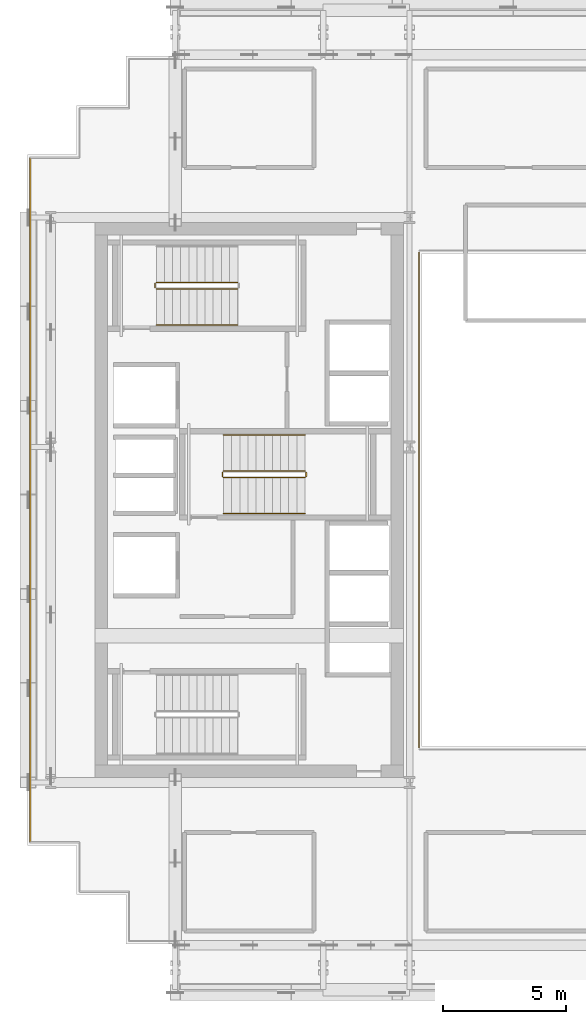
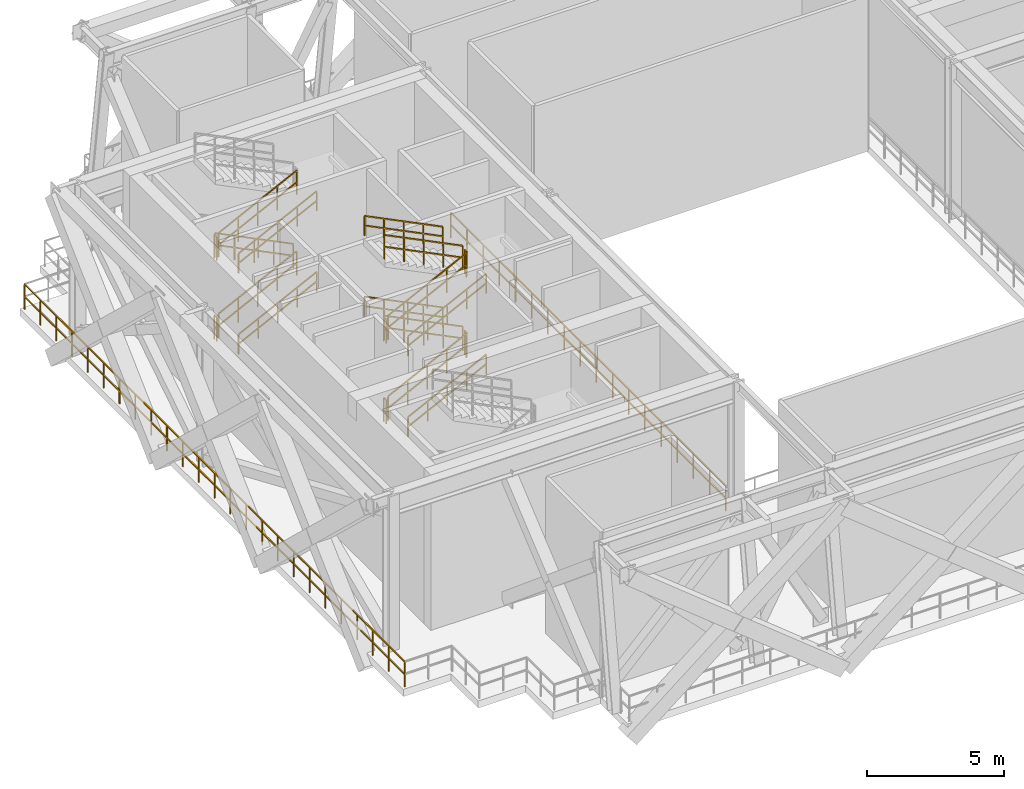
# One storey, part 10 of 13: 21 railings.
"""IFC4 building model written with IfcOpenShell, lengths in metres."""

from ifc_helpers import new_model, si_unit, direction, frame, origin, origin_2d, place, context, subcontext, project, spatial, rectangle, extrude, material, type_object, element, save


model = new_model("IFC4")

# Units and contexts
model_context = context("Model", 3, precision=1e-05, world=origin(), true_north=direction((0.0, 1.0)))
body_context = subcontext(model_context, "Body", "Model", "MODEL_VIEW")
ifc_project = project(units=[si_unit("LENGTHUNIT", "METRE"), si_unit("AREAUNIT", "SQUARE_METRE"), si_unit("VOLUMEUNIT", "CUBIC_METRE"), si_unit("PLANEANGLEUNIT", "RADIAN"), si_unit("MASSUNIT", "GRAM", prefix="KILO")], contexts=[model_context])

# Site, building, storey
site_placement = place(None, origin())
site = spatial("IfcSite", under=ifc_project, at=site_placement, CompositionType="ELEMENT")
building_placement = place(site_placement, origin())
building = spatial("IfcBuilding", under=site, at=building_placement, Name="Ocotamira Hotel", CompositionType="ELEMENT")
storey_placement = place(building_placement, frame((0.0, 0.0, 220.800048828125)))
storey = spatial("IfcBuildingStorey", under=building, at=storey_placement, Name="L56", CompositionType="ELEMENT", Elevation=220.800048828125)

# Railings
ifc_material_1 = material(Name="Painted steel stair guardrail", Category="steel")
railing_type_1 = type_object("IfcRailingType", Name="RL-EDGE-1150", PredefinedType="GUARDRAIL", material=ifc_material_1)
railing_1_placement = place(storey_placement, frame((23.8798828125, 36.0400390625, 0.0)))
element("IfcRailing", 1, at=railing_1_placement, inside=storey, type_object=railing_type_1, Name="L56 Central Atrium Edge Guardrail W", PredefinedType="GUARDRAIL", context=body_context, shape_type="SweptSolid", body=[
    extrude(rectangle(XDim=0.048095703125, YDim=0.048095703125, at=origin_2d()), frame((0.0, 0.0, 1.1259765625), z_axis=(0.0, -1.0, 0.0), x_axis=(1.0, 0.0, 0.0)), (0.0, 0.0, 1.0), 20.080078125),
    extrude(rectangle(XDim=0.048095703125, YDim=0.048095703125, at=origin_2d()), frame((0.0, 0.0, 0.574951171875), z_axis=(0.0, -1.0, 0.0), x_axis=(1.0, 0.0, 0.0)), (0.0, 0.0, 1.0), 20.080078125),
    extrude(rectangle(XDim=0.0419921875, YDim=0.0419921875, at=origin_2d()), origin(), (0.0, 0.0, 1.0), 1.101806640625),
    extrude(rectangle(XDim=0.0419921875, YDim=0.0419921875, at=origin_2d()), frame((0.0, -1.18115234375, 0.0)), (0.0, 0.0, 1.0), 1.101806640625),
    extrude(rectangle(XDim=0.0419921875, YDim=0.0419921875, at=origin_2d()), frame((0.0, -2.3623046875, 0.0)), (0.0, 0.0, 1.0), 1.101806640625),
    extrude(rectangle(XDim=0.0419921875, YDim=0.0419921875, at=origin_2d()), frame((0.0, -3.54345703125, 0.0)), (0.0, 0.0, 1.0), 1.101806640625),
    extrude(rectangle(XDim=0.0419921875, YDim=0.0419921875, at=origin_2d()), frame((0.0, -4.724609375, 0.0)), (0.0, 0.0, 1.0), 1.101806640625),
    extrude(rectangle(XDim=0.0419921875, YDim=0.0419921875, at=origin_2d()), frame((0.0, -5.906005859375, 0.0)), (0.0, 0.0, 1.0), 1.101806640625),
    extrude(rectangle(XDim=0.0419921875, YDim=0.0419921875, at=origin_2d()), frame((0.0, -7.087158203125, 0.0)), (0.0, 0.0, 1.0), 1.101806640625),
    extrude(rectangle(XDim=0.0419921875, YDim=0.0419921875, at=origin_2d()), frame((0.0, -8.268310546875, 0.0)), (0.0, 0.0, 1.0), 1.101806640625),
    extrude(rectangle(XDim=0.0419921875, YDim=0.0419921875, at=origin_2d()), frame((0.0, -9.449462890625, 0.0)), (0.0, 0.0, 1.0), 1.101806640625),
    extrude(rectangle(XDim=0.0419921875, YDim=0.0419921875, at=origin_2d()), frame((0.0, -10.630615234375, 0.0)), (0.0, 0.0, 1.0), 1.101806640625),
    extrude(rectangle(XDim=0.0419921875, YDim=0.0419921875, at=origin_2d()), frame((0.0, -11.811767578125, 0.0)), (0.0, 0.0, 1.0), 1.101806640625),
    extrude(rectangle(XDim=0.0419921875, YDim=0.0419921875, at=origin_2d()), frame((0.0, -12.992919921875, 0.0)), (0.0, 0.0, 1.0), 1.101806640625),
    extrude(rectangle(XDim=0.0419921875, YDim=0.0419921875, at=origin_2d()), frame((0.0, -14.174072265625, 0.0)), (0.0, 0.0, 1.0), 1.101806640625),
    extrude(rectangle(XDim=0.0419921875, YDim=0.0419921875, at=origin_2d()), frame((0.0, -15.35546875, 0.0)), (0.0, 0.0, 1.0), 1.101806640625),
    extrude(rectangle(XDim=0.0419921875, YDim=0.0419921875, at=origin_2d()), frame((0.0, -16.53662109375, 0.0)), (0.0, 0.0, 1.0), 1.101806640625),
    extrude(rectangle(XDim=0.0419921875, YDim=0.0419921875, at=origin_2d()), frame((0.0, -17.7177734375, 0.0)), (0.0, 0.0, 1.0), 1.101806640625),
    extrude(rectangle(XDim=0.0419921875, YDim=0.0419921875, at=origin_2d()), frame((0.0, -18.89892578125, 0.0)), (0.0, 0.0, 1.0), 1.101806640625),
    extrude(rectangle(XDim=0.0419921875, YDim=0.0419921875, at=origin_2d()), frame((0.0, -20.080078125, 0.0)), (0.0, 0.0, 1.0), 1.101806640625),
])
ifc_material_2 = material(Name="Brushed stainless steel handrail", Category="steel")
railing_type_2 = type_object("IfcRailingType", Name="RL-HAND-900", PredefinedType="HANDRAIL", material=ifc_material_2)
railing_2_placement = place(storey_placement, frame((13.22998046875, 33.10009765625, 0.3271484375)))
element("IfcRailing", 2, at=railing_2_placement, inside=storey, type_object=railing_type_2, Name="L56 ST-2 stair handrail 1", PredefinedType="HANDRAIL", context=body_context, shape_type="SweptSolid", body=[
    extrude(rectangle(XDim=0.048095703125, YDim=0.048095703125, at=origin_2d()), frame((0.0, 0.0, 0.8759765625), z_axis=(0.895893744519, 0.0, 0.4442683857), x_axis=(0.0, 1.0, 0.0)), (0.0, 0.0, 1.0), 3.68359375),
    extrude(rectangle(XDim=0.048095703125, YDim=0.048095703125, at=origin_2d()), frame((0.0, 0.0, 0.449951171875), z_axis=(0.895893744519, 0.0, 0.4442683857), x_axis=(0.0, 1.0, 0.0)), (0.0, 0.0, 1.0), 3.68359375),
    extrude(rectangle(XDim=0.0419921875, YDim=0.0419921875, at=origin_2d()), origin(), (0.0, 0.0, 1.0), 0.851806640625),
    extrude(rectangle(XDim=0.0419921875, YDim=0.0419921875, at=origin_2d()), frame((0.824951171875, 0.0, 0.4091796875)), (0.0, 0.0, 1.0), 0.851806640625),
    extrude(rectangle(XDim=0.0419921875, YDim=0.0419921875, at=origin_2d()), frame((1.64990234375, 0.0, 0.818359375)), (0.0, 0.0, 1.0), 0.851806640625),
    extrude(rectangle(XDim=0.0419921875, YDim=0.0419921875, at=origin_2d()), frame((2.47509765625, 0.0, 1.227294921875)), (0.0, 0.0, 1.0), 0.851806640625),
    extrude(rectangle(XDim=0.0419921875, YDim=0.0419921875, at=origin_2d()), frame((3.300048828125, 0.0, 1.636474609375)), (0.0, 0.0, 1.0), 0.851806640625),
])
railing_3_placement = place(storey_placement, frame((13.22998046875, 33.10009765625, 3.92724609375)))
element("IfcRailing", 3, at=railing_3_placement, inside=storey, type_object=railing_type_2, Name="L56 ST-2 stair handrail 3", PredefinedType="HANDRAIL", context=body_context, shape_type="SweptSolid", body=[
    extrude(rectangle(XDim=0.048095703125, YDim=0.048095703125, at=origin_2d()), frame((0.0, 0.0, 0.8759765625), z_axis=(0.895920123917, 0.0, 0.444215186098), x_axis=(0.0, 1.0, 0.0)), (0.0, 0.0, 1.0), 3.683349609375),
    extrude(rectangle(XDim=0.048095703125, YDim=0.048095703125, at=origin_2d()), frame((0.0, 0.0, 0.449951171875), z_axis=(0.895920123917, 0.0, 0.444215186098), x_axis=(0.0, 1.0, 0.0)), (0.0, 0.0, 1.0), 3.683349609375),
    extrude(rectangle(XDim=0.0419921875, YDim=0.0419921875, at=origin_2d()), origin(), (0.0, 0.0, 1.0), 0.851806640625),
    extrude(rectangle(XDim=0.0419921875, YDim=0.0419921875, at=origin_2d()), frame((0.824951171875, 0.0, 0.4091796875)), (0.0, 0.0, 1.0), 0.851806640625),
    extrude(rectangle(XDim=0.0419921875, YDim=0.0419921875, at=origin_2d()), frame((1.64990234375, 0.0, 0.818115234375)), (0.0, 0.0, 1.0), 0.851806640625),
    extrude(rectangle(XDim=0.0419921875, YDim=0.0419921875, at=origin_2d()), frame((2.47509765625, 0.0, 1.22705078125)), (0.0, 0.0, 1.0), 0.851806640625),
    extrude(rectangle(XDim=0.0419921875, YDim=0.0419921875, at=origin_2d()), frame((3.300048828125, 0.0, 1.63623046875)), (0.0, 0.0, 1.0), 0.851806640625),
])
railing_4_placement = place(storey_placement, frame((15.9599609375, 25.449951171875, 0.3271484375)))
element("IfcRailing", 4, at=railing_4_placement, inside=storey, type_object=railing_type_2, Name="L56 ST-3 stair handrail 1", PredefinedType="HANDRAIL", context=body_context, shape_type="SweptSolid", body=[
    extrude(rectangle(XDim=0.048095703125, YDim=0.048095703125, at=origin_2d()), frame((0.0, 0.0, 0.8759765625), z_axis=(0.895893744519, 0.0, 0.4442683857), x_axis=(0.0, 1.0, 0.0)), (0.0, 0.0, 1.0), 3.68359375),
    extrude(rectangle(XDim=0.048095703125, YDim=0.048095703125, at=origin_2d()), frame((0.0, 0.0, 0.449951171875), z_axis=(0.895893744519, 0.0, 0.4442683857), x_axis=(0.0, 1.0, 0.0)), (0.0, 0.0, 1.0), 3.68359375),
    extrude(rectangle(XDim=0.0419921875, YDim=0.0419921875, at=origin_2d()), origin(), (0.0, 0.0, 1.0), 0.851806640625),
    extrude(rectangle(XDim=0.0419921875, YDim=0.0419921875, at=origin_2d()), frame((0.824951171875, 0.0, 0.4091796875)), (0.0, 0.0, 1.0), 0.851806640625),
    extrude(rectangle(XDim=0.0419921875, YDim=0.0419921875, at=origin_2d()), frame((1.64990234375, 0.0, 0.818359375)), (0.0, 0.0, 1.0), 0.851806640625),
    extrude(rectangle(XDim=0.0419921875, YDim=0.0419921875, at=origin_2d()), frame((2.47509765625, 0.0, 1.227294921875)), (0.0, 0.0, 1.0), 0.851806640625),
    extrude(rectangle(XDim=0.0419921875, YDim=0.0419921875, at=origin_2d()), frame((3.300048828125, 0.0, 1.636474609375)), (0.0, 0.0, 1.0), 0.851806640625),
])
railing_5_placement = place(storey_placement, frame((19.260009765625, 28.6298828125, 2.127197265625)))
element("IfcRailing", 5, at=railing_5_placement, inside=storey, type_object=railing_type_2, Name="L56 ST-3 stair handrail 2", PredefinedType="HANDRAIL", context=body_context, shape_type="SweptSolid", body=[
    extrude(rectangle(XDim=0.048095703125, YDim=0.048095703125, at=origin_2d()), frame((0.0, 0.0, 0.8759765625), z_axis=(-0.895893744519, 0.0, 0.4442683857), x_axis=(0.0, -1.0, 0.0)), (0.0, 0.0, 1.0), 3.68359375),
    extrude(rectangle(XDim=0.048095703125, YDim=0.048095703125, at=origin_2d()), frame((0.0, 0.0, 0.449951171875), z_axis=(-0.895893744519, 0.0, 0.4442683857), x_axis=(0.0, -1.0, 0.0)), (0.0, 0.0, 1.0), 3.68359375),
    extrude(rectangle(XDim=0.0419921875, YDim=0.0419921875, at=origin_2d()), origin(), (0.0, 0.0, 1.0), 0.851806640625),
    extrude(rectangle(XDim=0.0419921875, YDim=0.0419921875, at=origin_2d()), frame((-0.824951171875, 0.0, 0.4091796875)), (0.0, 0.0, 1.0), 0.851806640625),
    extrude(rectangle(XDim=0.0419921875, YDim=0.0419921875, at=origin_2d()), frame((-1.64990234375, 0.0, 0.818359375)), (0.0, 0.0, 1.0), 0.851806640625),
    extrude(rectangle(XDim=0.0419921875, YDim=0.0419921875, at=origin_2d()), frame((-2.47509765625, 0.0, 1.227294921875)), (0.0, 0.0, 1.0), 0.851806640625),
    extrude(rectangle(XDim=0.0419921875, YDim=0.0419921875, at=origin_2d()), frame((-3.300048828125, 0.0, 1.636474609375)), (0.0, 0.0, 1.0), 0.851806640625),
])
railing_6_placement = place(storey_placement, frame((15.9599609375, 25.449951171875, 3.92724609375)))
element("IfcRailing", 6, at=railing_6_placement, inside=storey, type_object=railing_type_2, Name="L56 ST-3 stair handrail 3", PredefinedType="HANDRAIL", context=body_context, shape_type="SweptSolid", body=[
    extrude(rectangle(XDim=0.048095703125, YDim=0.048095703125, at=origin_2d()), frame((0.0, 0.0, 0.8759765625), z_axis=(0.895920123917, 0.0, 0.444215186098), x_axis=(0.0, 1.0, 0.0)), (0.0, 0.0, 1.0), 3.683349609375),
    extrude(rectangle(XDim=0.048095703125, YDim=0.048095703125, at=origin_2d()), frame((0.0, 0.0, 0.449951171875), z_axis=(0.895920123917, 0.0, 0.444215186098), x_axis=(0.0, 1.0, 0.0)), (0.0, 0.0, 1.0), 3.683349609375),
    extrude(rectangle(XDim=0.0419921875, YDim=0.0419921875, at=origin_2d()), origin(), (0.0, 0.0, 1.0), 0.851806640625),
    extrude(rectangle(XDim=0.0419921875, YDim=0.0419921875, at=origin_2d()), frame((0.824951171875, 0.0, 0.4091796875)), (0.0, 0.0, 1.0), 0.851806640625),
    extrude(rectangle(XDim=0.0419921875, YDim=0.0419921875, at=origin_2d()), frame((1.64990234375, 0.0, 0.818115234375)), (0.0, 0.0, 1.0), 0.851806640625),
    extrude(rectangle(XDim=0.0419921875, YDim=0.0419921875, at=origin_2d()), frame((2.47509765625, 0.0, 1.22705078125)), (0.0, 0.0, 1.0), 0.851806640625),
    extrude(rectangle(XDim=0.0419921875, YDim=0.0419921875, at=origin_2d()), frame((3.300048828125, 0.0, 1.63623046875)), (0.0, 0.0, 1.0), 0.851806640625),
])
railing_7_placement = place(storey_placement, frame((19.260009765625, 28.6298828125, 5.727294921875)))
element("IfcRailing", 7, at=railing_7_placement, inside=storey, type_object=railing_type_2, Name="L56 ST-3 stair handrail 4", PredefinedType="HANDRAIL", context=body_context, shape_type="SweptSolid", body=[
    extrude(rectangle(XDim=0.048095703125, YDim=0.048095703125, at=origin_2d()), frame((0.0, 0.0, 0.8759765625), z_axis=(-0.895920123917, 0.0, 0.444215186098), x_axis=(0.0, -1.0, 0.0)), (0.0, 0.0, 1.0), 3.683349609375),
    extrude(rectangle(XDim=0.048095703125, YDim=0.048095703125, at=origin_2d()), frame((0.0, 0.0, 0.449951171875), z_axis=(-0.895920123917, 0.0, 0.444215186098), x_axis=(0.0, -1.0, 0.0)), (0.0, 0.0, 1.0), 3.683349609375),
    extrude(rectangle(XDim=0.0419921875, YDim=0.0419921875, at=origin_2d()), origin(), (0.0, 0.0, 1.0), 0.851806640625),
    extrude(rectangle(XDim=0.0419921875, YDim=0.0419921875, at=origin_2d()), frame((-0.824951171875, 0.0, 0.4091796875)), (0.0, 0.0, 1.0), 0.851806640625),
    extrude(rectangle(XDim=0.0419921875, YDim=0.0419921875, at=origin_2d()), frame((-1.64990234375, 0.0, 0.818115234375)), (0.0, 0.0, 1.0), 0.851806640625),
    extrude(rectangle(XDim=0.0419921875, YDim=0.0419921875, at=origin_2d()), frame((-2.47509765625, 0.0, 1.22705078125)), (0.0, 0.0, 1.0), 0.851806640625),
    extrude(rectangle(XDim=0.0419921875, YDim=0.0419921875, at=origin_2d()), frame((-3.300048828125, 0.0, 1.63623046875)), (0.0, 0.0, 1.0), 0.851806640625),
])
ifc_material_3 = material(Name="Pale-metal stainless steel guardrail", Category="steel")
railing_type_3 = type_object("IfcRailingType", Name="RL-PERIM-1150", PredefinedType="GUARDRAIL", material=ifc_material_3)
railing_8_placement = place(storey_placement, frame((8.1201171875, 12.1201171875, 0.0)))
element("IfcRailing", 8, at=railing_8_placement, inside=storey, type_object=railing_type_3, Name="L56 Perimeter Guardrail WSLOT1-08", PredefinedType="GUARDRAIL", context=body_context, shape_type="SweptSolid", body=[
    extrude(rectangle(XDim=0.048095703125, YDim=0.048095703125, at=origin_2d()), frame((0.0, 0.0, 1.1259765625), z_axis=(0.0, 1.0, 0.0), x_axis=(-1.0, 0.0, 0.0)), (0.0, 0.0, 1.0), 27.759765625),
    extrude(rectangle(XDim=0.048095703125, YDim=0.048095703125, at=origin_2d()), frame((0.0, 0.0, 0.574951171875), z_axis=(0.0, 1.0, 0.0), x_axis=(-1.0, 0.0, 0.0)), (0.0, 0.0, 1.0), 27.759765625),
    extrude(rectangle(XDim=0.0419921875, YDim=0.0419921875, at=origin_2d()), origin(), (0.0, 0.0, 1.0), 1.101806640625),
    extrude(rectangle(XDim=0.0419921875, YDim=0.0419921875, at=origin_2d()), frame((0.0, 1.15673828125, 0.0)), (0.0, 0.0, 1.0), 1.101806640625),
    extrude(rectangle(XDim=0.0419921875, YDim=0.0419921875, at=origin_2d()), frame((0.0, 2.313232421875, 0.0)), (0.0, 0.0, 1.0), 1.101806640625),
    extrude(rectangle(XDim=0.0419921875, YDim=0.0419921875, at=origin_2d()), frame((0.0, 3.469970703125, 0.0)), (0.0, 0.0, 1.0), 1.101806640625),
    extrude(rectangle(XDim=0.0419921875, YDim=0.0419921875, at=origin_2d()), frame((0.0, 4.626708984375, 0.0)), (0.0, 0.0, 1.0), 1.101806640625),
    extrude(rectangle(XDim=0.0419921875, YDim=0.0419921875, at=origin_2d()), frame((0.0, 5.783203125, 0.0)), (0.0, 0.0, 1.0), 1.101806640625),
    extrude(rectangle(XDim=0.0419921875, YDim=0.0419921875, at=origin_2d()), frame((0.0, 6.93994140625, 0.0)), (0.0, 0.0, 1.0), 1.101806640625),
    extrude(rectangle(XDim=0.0419921875, YDim=0.0419921875, at=origin_2d()), frame((0.0, 8.0966796875, 0.0)), (0.0, 0.0, 1.0), 1.101806640625),
    extrude(rectangle(XDim=0.0419921875, YDim=0.0419921875, at=origin_2d()), frame((0.0, 9.253173828125, 0.0)), (0.0, 0.0, 1.0), 1.101806640625),
    extrude(rectangle(XDim=0.0419921875, YDim=0.0419921875, at=origin_2d()), frame((0.0, 10.409912109375, 0.0)), (0.0, 0.0, 1.0), 1.101806640625),
    extrude(rectangle(XDim=0.0419921875, YDim=0.0419921875, at=origin_2d()), frame((0.0, 11.566650390625, 0.0)), (0.0, 0.0, 1.0), 1.101806640625),
    extrude(rectangle(XDim=0.0419921875, YDim=0.0419921875, at=origin_2d()), frame((0.0, 12.72314453125, 0.0)), (0.0, 0.0, 1.0), 1.101806640625),
    extrude(rectangle(XDim=0.0419921875, YDim=0.0419921875, at=origin_2d()), frame((0.0, 13.8798828125, 0.0)), (0.0, 0.0, 1.0), 1.101806640625),
    extrude(rectangle(XDim=0.0419921875, YDim=0.0419921875, at=origin_2d()), frame((0.0, 15.03662109375, 0.0)), (0.0, 0.0, 1.0), 1.101806640625),
    extrude(rectangle(XDim=0.0419921875, YDim=0.0419921875, at=origin_2d()), frame((0.0, 16.193115234375, 0.0)), (0.0, 0.0, 1.0), 1.101806640625),
    extrude(rectangle(XDim=0.0419921875, YDim=0.0419921875, at=origin_2d()), frame((0.0, 17.349853515625, 0.0)), (0.0, 0.0, 1.0), 1.101806640625),
    extrude(rectangle(XDim=0.0419921875, YDim=0.0419921875, at=origin_2d()), frame((0.0, 18.506591796875, 0.0)), (0.0, 0.0, 1.0), 1.101806640625),
    extrude(rectangle(XDim=0.0419921875, YDim=0.0419921875, at=origin_2d()), frame((0.0, 19.6630859375, 0.0)), (0.0, 0.0, 1.0), 1.101806640625),
    extrude(rectangle(XDim=0.0419921875, YDim=0.0419921875, at=origin_2d()), frame((0.0, 20.81982421875, 0.0)), (0.0, 0.0, 1.0), 1.101806640625),
    extrude(rectangle(XDim=0.0419921875, YDim=0.0419921875, at=origin_2d()), frame((0.0, 21.9765625, 0.0)), (0.0, 0.0, 1.0), 1.101806640625),
    extrude(rectangle(XDim=0.0419921875, YDim=0.0419921875, at=origin_2d()), frame((0.0, 23.133056640625, 0.0)), (0.0, 0.0, 1.0), 1.101806640625),
    extrude(rectangle(XDim=0.0419921875, YDim=0.0419921875, at=origin_2d()), frame((0.0, 24.289794921875, 0.0)), (0.0, 0.0, 1.0), 1.101806640625),
    extrude(rectangle(XDim=0.0419921875, YDim=0.0419921875, at=origin_2d()), frame((0.0, 25.446533203125, 0.0)), (0.0, 0.0, 1.0), 1.101806640625),
    extrude(rectangle(XDim=0.0419921875, YDim=0.0419921875, at=origin_2d()), frame((0.0, 26.60302734375, 0.0)), (0.0, 0.0, 1.0), 1.101806640625),
    extrude(rectangle(XDim=0.0419921875, YDim=0.0419921875, at=origin_2d()), frame((0.0, 27.759765625, 0.0)), (0.0, 0.0, 1.0), 1.101806640625),
])
railing_type_4 = type_object("IfcRailingType", Name="RL-STAIR-1100", PredefinedType="GUARDRAIL", material=ifc_material_1)
railing_9_placement = place(storey_placement, frame((13.22998046875, 34.56005859375, 0.16357421875)))
element("IfcRailing", 9, at=railing_9_placement, inside=storey, type_object=railing_type_4, Name="L56 ST-2 stair guard 1", PredefinedType="GUARDRAIL", context=body_context, shape_type="SweptSolid", body=[
    extrude(rectangle(XDim=0.048095703125, YDim=0.048095703125, at=origin_2d()), frame((0.0, 0.0, 1.076171875), z_axis=(0.895893744519, 0.0, 0.4442683857), x_axis=(0.0, 1.0, 0.0)), (0.0, 0.0, 1.0), 3.68359375),
    extrude(rectangle(XDim=0.048095703125, YDim=0.048095703125, at=origin_2d()), frame((0.0, 0.0, 0.550048828125), z_axis=(0.895893744519, 0.0, 0.4442683857), x_axis=(0.0, 1.0, 0.0)), (0.0, 0.0, 1.0), 3.68359375),
    extrude(rectangle(XDim=0.0419921875, YDim=0.0419921875, at=origin_2d()), origin(), (0.0, 0.0, 1.0), 1.052001953125),
    extrude(rectangle(XDim=0.0419921875, YDim=0.0419921875, at=origin_2d()), frame((0.824951171875, 0.0, 0.4091796875)), (0.0, 0.0, 1.0), 1.052001953125),
    extrude(rectangle(XDim=0.0419921875, YDim=0.0419921875, at=origin_2d()), frame((1.64990234375, 0.0, 0.818359375)), (0.0, 0.0, 1.0), 1.052001953125),
    extrude(rectangle(XDim=0.0419921875, YDim=0.0419921875, at=origin_2d()), frame((2.47509765625, 0.0, 1.227294921875)), (0.0, 0.0, 1.0), 1.052001953125),
    extrude(rectangle(XDim=0.0419921875, YDim=0.0419921875, at=origin_2d()), frame((3.300048828125, 0.0, 1.636474609375)), (0.0, 0.0, 1.0), 1.052001953125),
])
railing_10_placement = place(storey_placement, frame((16.530029296875, 34.820068359375, 1.963623046875)))
element("IfcRailing", 10, at=railing_10_placement, inside=storey, type_object=railing_type_4, Name="L56 ST-2 stair guard 3", PredefinedType="GUARDRAIL", context=body_context, shape_type="SweptSolid", body=[
    extrude(rectangle(XDim=0.048095703125, YDim=0.048095703125, at=origin_2d()), frame((0.0, 0.0, 1.076171875), z_axis=(-0.895920123917, 0.0, 0.444215186098), x_axis=(0.0, -1.0, 0.0)), (0.0, 0.0, 1.0), 3.683349609375),
    extrude(rectangle(XDim=0.048095703125, YDim=0.048095703125, at=origin_2d()), frame((0.0, 0.0, 0.550048828125), z_axis=(-0.895920123917, 0.0, 0.444215186098), x_axis=(0.0, -1.0, 0.0)), (0.0, 0.0, 1.0), 3.683349609375),
    extrude(rectangle(XDim=0.0419921875, YDim=0.0419921875, at=origin_2d()), origin(), (0.0, 0.0, 1.0), 1.052001953125),
    extrude(rectangle(XDim=0.0419921875, YDim=0.0419921875, at=origin_2d()), frame((-0.824951171875, 0.0, 0.4091796875)), (0.0, 0.0, 1.0), 1.052001953125),
    extrude(rectangle(XDim=0.0419921875, YDim=0.0419921875, at=origin_2d()), frame((-1.64990234375, 0.0, 0.818115234375)), (0.0, 0.0, 1.0), 1.052001953125),
    extrude(rectangle(XDim=0.0419921875, YDim=0.0419921875, at=origin_2d()), frame((-2.47509765625, 0.0, 1.22705078125)), (0.0, 0.0, 1.0), 1.052001953125),
    extrude(rectangle(XDim=0.0419921875, YDim=0.0419921875, at=origin_2d()), frame((-3.300048828125, 0.0, 1.63623046875)), (0.0, 0.0, 1.0), 1.052001953125),
])
railing_11_placement = place(storey_placement, frame((13.179931640625, 34.610107421875, 3.599853515625)))
element("IfcRailing", 11, at=railing_11_placement, inside=storey, type_object=railing_type_4, Name="L56 ST-2 stair guard 4", PredefinedType="GUARDRAIL", context=body_context, shape_type="SweptSolid", body=[
    extrude(rectangle(XDim=0.048095703125, YDim=0.048095703125, at=origin_2d()), frame((0.0, 0.0, 1.076171875), z_axis=(0.0, 1.0, 0.0), x_axis=(-1.0, 0.0, 0.0)), (0.0, 0.0, 1.0), 0.159912109375),
    extrude(rectangle(XDim=0.048095703125, YDim=0.048095703125, at=origin_2d()), frame((0.0, 0.0, 0.550048828125), z_axis=(0.0, 1.0, 0.0), x_axis=(-1.0, 0.0, 0.0)), (0.0, 0.0, 1.0), 0.159912109375),
    extrude(rectangle(XDim=0.0419921875, YDim=0.0419921875, at=origin_2d()), origin(), (0.0, 0.0, 1.0), 1.052001953125),
    extrude(rectangle(XDim=0.0419921875, YDim=0.0419921875, at=origin_2d()), frame((0.0, 0.159912109375, 0.0)), (0.0, 0.0, 1.0), 1.052001953125),
])
railing_12_placement = place(storey_placement, frame((13.22998046875, 34.56005859375, 3.763671875)))
element("IfcRailing", 12, at=railing_12_placement, inside=storey, type_object=railing_type_4, Name="L56 ST-2 stair guard 5", PredefinedType="GUARDRAIL", context=body_context, shape_type="SweptSolid", body=[
    extrude(rectangle(XDim=0.048095703125, YDim=0.048095703125, at=origin_2d()), frame((0.0, 0.0, 1.076171875), z_axis=(0.895920123917, 0.0, 0.444215186098), x_axis=(0.0, 1.0, 0.0)), (0.0, 0.0, 1.0), 3.683349609375),
    extrude(rectangle(XDim=0.048095703125, YDim=0.048095703125, at=origin_2d()), frame((0.0, 0.0, 0.550048828125), z_axis=(0.895920123917, 0.0, 0.444215186098), x_axis=(0.0, 1.0, 0.0)), (0.0, 0.0, 1.0), 3.683349609375),
    extrude(rectangle(XDim=0.0419921875, YDim=0.0419921875, at=origin_2d()), origin(), (0.0, 0.0, 1.0), 1.052001953125),
    extrude(rectangle(XDim=0.0419921875, YDim=0.0419921875, at=origin_2d()), frame((0.824951171875, 0.0, 0.4091796875)), (0.0, 0.0, 1.0), 1.052001953125),
    extrude(rectangle(XDim=0.0419921875, YDim=0.0419921875, at=origin_2d()), frame((1.64990234375, 0.0, 0.818115234375)), (0.0, 0.0, 1.0), 1.052001953125),
    extrude(rectangle(XDim=0.0419921875, YDim=0.0419921875, at=origin_2d()), frame((2.47509765625, 0.0, 1.22705078125)), (0.0, 0.0, 1.0), 1.052001953125),
    extrude(rectangle(XDim=0.0419921875, YDim=0.0419921875, at=origin_2d()), frame((3.300048828125, 0.0, 1.63623046875)), (0.0, 0.0, 1.0), 1.052001953125),
])
railing_13_placement = place(storey_placement, frame((13.179931640625, 34.610107421875, 0.0)))
element("IfcRailing", 13, at=railing_13_placement, inside=storey, type_object=railing_type_4, Name="L56 ST-2 stair guard 8", PredefinedType="GUARDRAIL", context=body_context, shape_type="SweptSolid", body=[
    extrude(rectangle(XDim=0.048095703125, YDim=0.048095703125, at=origin_2d()), frame((0.0, 0.0, 1.076171875), z_axis=(0.0, 1.0, 0.0), x_axis=(-1.0, 0.0, 0.0)), (0.0, 0.0, 1.0), 0.159912109375),
    extrude(rectangle(XDim=0.048095703125, YDim=0.048095703125, at=origin_2d()), frame((0.0, 0.0, 0.550048828125), z_axis=(0.0, 1.0, 0.0), x_axis=(-1.0, 0.0, 0.0)), (0.0, 0.0, 1.0), 0.159912109375),
    extrude(rectangle(XDim=0.0419921875, YDim=0.0419921875, at=origin_2d()), origin(), (0.0, 0.0, 1.0), 1.052001953125),
    extrude(rectangle(XDim=0.0419921875, YDim=0.0419921875, at=origin_2d()), frame((0.0, 0.159912109375, 0.0)), (0.0, 0.0, 1.0), 1.052001953125),
])
railing_14_placement = place(storey_placement, frame((15.9599609375, 26.909912109375, 0.16357421875)))
element("IfcRailing", 14, at=railing_14_placement, inside=storey, type_object=railing_type_4, Name="L56 ST-3 stair guard 1", PredefinedType="GUARDRAIL", context=body_context, shape_type="SweptSolid", body=[
    extrude(rectangle(XDim=0.048095703125, YDim=0.048095703125, at=origin_2d()), frame((0.0, 0.0, 1.076171875), z_axis=(0.895893744519, 0.0, 0.4442683857), x_axis=(0.0, 1.0, 0.0)), (0.0, 0.0, 1.0), 3.68359375),
    extrude(rectangle(XDim=0.048095703125, YDim=0.048095703125, at=origin_2d()), frame((0.0, 0.0, 0.550048828125), z_axis=(0.895893744519, 0.0, 0.4442683857), x_axis=(0.0, 1.0, 0.0)), (0.0, 0.0, 1.0), 3.68359375),
    extrude(rectangle(XDim=0.0419921875, YDim=0.0419921875, at=origin_2d()), origin(), (0.0, 0.0, 1.0), 1.052001953125),
    extrude(rectangle(XDim=0.0419921875, YDim=0.0419921875, at=origin_2d()), frame((0.824951171875, 0.0, 0.4091796875)), (0.0, 0.0, 1.0), 1.052001953125),
    extrude(rectangle(XDim=0.0419921875, YDim=0.0419921875, at=origin_2d()), frame((1.64990234375, 0.0, 0.818359375)), (0.0, 0.0, 1.0), 1.052001953125),
    extrude(rectangle(XDim=0.0419921875, YDim=0.0419921875, at=origin_2d()), frame((2.47509765625, 0.0, 1.227294921875)), (0.0, 0.0, 1.0), 1.052001953125),
    extrude(rectangle(XDim=0.0419921875, YDim=0.0419921875, at=origin_2d()), frame((3.300048828125, 0.0, 1.636474609375)), (0.0, 0.0, 1.0), 1.052001953125),
])
railing_15_placement = place(storey_placement, frame((19.31005859375, 26.9599609375, 1.800048828125)))
element("IfcRailing", 15, at=railing_15_placement, inside=storey, type_object=railing_type_4, Name="L56 ST-3 stair guard 2", PredefinedType="GUARDRAIL", context=body_context, shape_type="SweptSolid", body=[
    extrude(rectangle(XDim=0.048095703125, YDim=0.048095703125, at=origin_2d()), frame((0.0, 0.0, 1.076171875), z_axis=(0.0, 1.0, 0.0), x_axis=(-1.0, 0.0, 0.0)), (0.0, 0.0, 1.0), 0.16015625),
    extrude(rectangle(XDim=0.048095703125, YDim=0.048095703125, at=origin_2d()), frame((0.0, 0.0, 0.550048828125), z_axis=(0.0, 1.0, 0.0), x_axis=(-1.0, 0.0, 0.0)), (0.0, 0.0, 1.0), 0.16015625),
    extrude(rectangle(XDim=0.0419921875, YDim=0.0419921875, at=origin_2d()), origin(), (0.0, 0.0, 1.0), 1.052001953125),
    extrude(rectangle(XDim=0.0419921875, YDim=0.0419921875, at=origin_2d()), frame((0.0, 0.16015625, 0.0)), (0.0, 0.0, 1.0), 1.052001953125),
])
railing_16_placement = place(storey_placement, frame((19.260009765625, 27.169921875, 1.963623046875)))
element("IfcRailing", 16, at=railing_16_placement, inside=storey, type_object=railing_type_4, Name="L56 ST-3 stair guard 3", PredefinedType="GUARDRAIL", context=body_context, shape_type="SweptSolid", body=[
    extrude(rectangle(XDim=0.048095703125, YDim=0.048095703125, at=origin_2d()), frame((0.0, 0.0, 1.076171875), z_axis=(-0.895920123917, 0.0, 0.444215186098), x_axis=(0.0, -1.0, 0.0)), (0.0, 0.0, 1.0), 3.683349609375),
    extrude(rectangle(XDim=0.048095703125, YDim=0.048095703125, at=origin_2d()), frame((0.0, 0.0, 0.550048828125), z_axis=(-0.895920123917, 0.0, 0.444215186098), x_axis=(0.0, -1.0, 0.0)), (0.0, 0.0, 1.0), 3.683349609375),
    extrude(rectangle(XDim=0.0419921875, YDim=0.0419921875, at=origin_2d()), origin(), (0.0, 0.0, 1.0), 1.052001953125),
    extrude(rectangle(XDim=0.0419921875, YDim=0.0419921875, at=origin_2d()), frame((-0.824951171875, 0.0, 0.4091796875)), (0.0, 0.0, 1.0), 1.052001953125),
    extrude(rectangle(XDim=0.0419921875, YDim=0.0419921875, at=origin_2d()), frame((-1.64990234375, 0.0, 0.818115234375)), (0.0, 0.0, 1.0), 1.052001953125),
    extrude(rectangle(XDim=0.0419921875, YDim=0.0419921875, at=origin_2d()), frame((-2.47509765625, 0.0, 1.22705078125)), (0.0, 0.0, 1.0), 1.052001953125),
    extrude(rectangle(XDim=0.0419921875, YDim=0.0419921875, at=origin_2d()), frame((-3.300048828125, 0.0, 1.63623046875)), (0.0, 0.0, 1.0), 1.052001953125),
])
railing_17_placement = place(storey_placement, frame((15.909912109375, 26.9599609375, 3.599853515625)))
element("IfcRailing", 17, at=railing_17_placement, inside=storey, type_object=railing_type_4, Name="L56 ST-3 stair guard 4", PredefinedType="GUARDRAIL", context=body_context, shape_type="SweptSolid", body=[
    extrude(rectangle(XDim=0.048095703125, YDim=0.048095703125, at=origin_2d()), frame((0.0, 0.0, 1.076171875), z_axis=(0.0, 1.0, 0.0), x_axis=(-1.0, 0.0, 0.0)), (0.0, 0.0, 1.0), 0.16015625),
    extrude(rectangle(XDim=0.048095703125, YDim=0.048095703125, at=origin_2d()), frame((0.0, 0.0, 0.550048828125), z_axis=(0.0, 1.0, 0.0), x_axis=(-1.0, 0.0, 0.0)), (0.0, 0.0, 1.0), 0.16015625),
    extrude(rectangle(XDim=0.0419921875, YDim=0.0419921875, at=origin_2d()), origin(), (0.0, 0.0, 1.0), 1.052001953125),
    extrude(rectangle(XDim=0.0419921875, YDim=0.0419921875, at=origin_2d()), frame((0.0, 0.16015625, 0.0)), (0.0, 0.0, 1.0), 1.052001953125),
])
railing_18_placement = place(storey_placement, frame((15.9599609375, 26.909912109375, 3.763671875)))
element("IfcRailing", 18, at=railing_18_placement, inside=storey, type_object=railing_type_4, Name="L56 ST-3 stair guard 5", PredefinedType="GUARDRAIL", context=body_context, shape_type="SweptSolid", body=[
    extrude(rectangle(XDim=0.048095703125, YDim=0.048095703125, at=origin_2d()), frame((0.0, 0.0, 1.076171875), z_axis=(0.895920123917, 0.0, 0.444215186098), x_axis=(0.0, 1.0, 0.0)), (0.0, 0.0, 1.0), 3.683349609375),
    extrude(rectangle(XDim=0.048095703125, YDim=0.048095703125, at=origin_2d()), frame((0.0, 0.0, 0.550048828125), z_axis=(0.895920123917, 0.0, 0.444215186098), x_axis=(0.0, 1.0, 0.0)), (0.0, 0.0, 1.0), 3.683349609375),
    extrude(rectangle(XDim=0.0419921875, YDim=0.0419921875, at=origin_2d()), origin(), (0.0, 0.0, 1.0), 1.052001953125),
    extrude(rectangle(XDim=0.0419921875, YDim=0.0419921875, at=origin_2d()), frame((0.824951171875, 0.0, 0.4091796875)), (0.0, 0.0, 1.0), 1.052001953125),
    extrude(rectangle(XDim=0.0419921875, YDim=0.0419921875, at=origin_2d()), frame((1.64990234375, 0.0, 0.818115234375)), (0.0, 0.0, 1.0), 1.052001953125),
    extrude(rectangle(XDim=0.0419921875, YDim=0.0419921875, at=origin_2d()), frame((2.47509765625, 0.0, 1.22705078125)), (0.0, 0.0, 1.0), 1.052001953125),
    extrude(rectangle(XDim=0.0419921875, YDim=0.0419921875, at=origin_2d()), frame((3.300048828125, 0.0, 1.63623046875)), (0.0, 0.0, 1.0), 1.052001953125),
])
railing_19_placement = place(storey_placement, frame((19.31005859375, 26.9599609375, 5.39990234375)))
element("IfcRailing", 19, at=railing_19_placement, inside=storey, type_object=railing_type_4, Name="L56 ST-3 stair guard 6", PredefinedType="GUARDRAIL", context=body_context, shape_type="SweptSolid", body=[
    extrude(rectangle(XDim=0.048095703125, YDim=0.048095703125, at=origin_2d()), frame((0.0, 0.0, 1.076171875), z_axis=(0.0, 1.0, 0.0), x_axis=(-1.0, 0.0, 0.0)), (0.0, 0.0, 1.0), 0.16015625),
    extrude(rectangle(XDim=0.048095703125, YDim=0.048095703125, at=origin_2d()), frame((0.0, 0.0, 0.550048828125), z_axis=(0.0, 1.0, 0.0), x_axis=(-1.0, 0.0, 0.0)), (0.0, 0.0, 1.0), 0.16015625),
    extrude(rectangle(XDim=0.0419921875, YDim=0.0419921875, at=origin_2d()), origin(), (0.0, 0.0, 1.0), 1.052001953125),
    extrude(rectangle(XDim=0.0419921875, YDim=0.0419921875, at=origin_2d()), frame((0.0, 0.16015625, 0.0)), (0.0, 0.0, 1.0), 1.052001953125),
])
railing_20_placement = place(storey_placement, frame((19.260009765625, 27.169921875, 5.5634765625)))
element("IfcRailing", 20, at=railing_20_placement, inside=storey, type_object=railing_type_4, Name="L56 ST-3 stair guard 7", PredefinedType="GUARDRAIL", context=body_context, shape_type="SweptSolid", body=[
    extrude(rectangle(XDim=0.048095703125, YDim=0.048095703125, at=origin_2d()), frame((0.0, 0.0, 1.076171875), z_axis=(-0.895893744519, 0.0, 0.4442683857), x_axis=(0.0, -1.0, 0.0)), (0.0, 0.0, 1.0), 3.68359375),
    extrude(rectangle(XDim=0.048095703125, YDim=0.048095703125, at=origin_2d()), frame((0.0, 0.0, 0.550048828125), z_axis=(-0.895893744519, 0.0, 0.4442683857), x_axis=(0.0, -1.0, 0.0)), (0.0, 0.0, 1.0), 3.68359375),
    extrude(rectangle(XDim=0.0419921875, YDim=0.0419921875, at=origin_2d()), origin(), (0.0, 0.0, 1.0), 1.052001953125),
    extrude(rectangle(XDim=0.0419921875, YDim=0.0419921875, at=origin_2d()), frame((-0.824951171875, 0.0, 0.4091796875)), (0.0, 0.0, 1.0), 1.052001953125),
    extrude(rectangle(XDim=0.0419921875, YDim=0.0419921875, at=origin_2d()), frame((-1.64990234375, 0.0, 0.818359375)), (0.0, 0.0, 1.0), 1.052001953125),
    extrude(rectangle(XDim=0.0419921875, YDim=0.0419921875, at=origin_2d()), frame((-2.47509765625, 0.0, 1.227294921875)), (0.0, 0.0, 1.0), 1.052001953125),
    extrude(rectangle(XDim=0.0419921875, YDim=0.0419921875, at=origin_2d()), frame((-3.300048828125, 0.0, 1.636474609375)), (0.0, 0.0, 1.0), 1.052001953125),
])
railing_21_placement = place(storey_placement, frame((15.909912109375, 26.9599609375, 0.0)))
element("IfcRailing", 21, at=railing_21_placement, inside=storey, type_object=railing_type_4, Name="L56 ST-3 stair guard 8", PredefinedType="GUARDRAIL", context=body_context, shape_type="SweptSolid", body=[
    extrude(rectangle(XDim=0.048095703125, YDim=0.048095703125, at=origin_2d()), frame((0.0, 0.0, 1.076171875), z_axis=(0.0, 1.0, 0.0), x_axis=(-1.0, 0.0, 0.0)), (0.0, 0.0, 1.0), 0.16015625),
    extrude(rectangle(XDim=0.048095703125, YDim=0.048095703125, at=origin_2d()), frame((0.0, 0.0, 0.550048828125), z_axis=(0.0, 1.0, 0.0), x_axis=(-1.0, 0.0, 0.0)), (0.0, 0.0, 1.0), 0.16015625),
    extrude(rectangle(XDim=0.0419921875, YDim=0.0419921875, at=origin_2d()), origin(), (0.0, 0.0, 1.0), 1.052001953125),
    extrude(rectangle(XDim=0.0419921875, YDim=0.0419921875, at=origin_2d()), frame((0.0, 0.16015625, 0.0)), (0.0, 0.0, 1.0), 1.052001953125),
])

save(model, "model.ifc")
